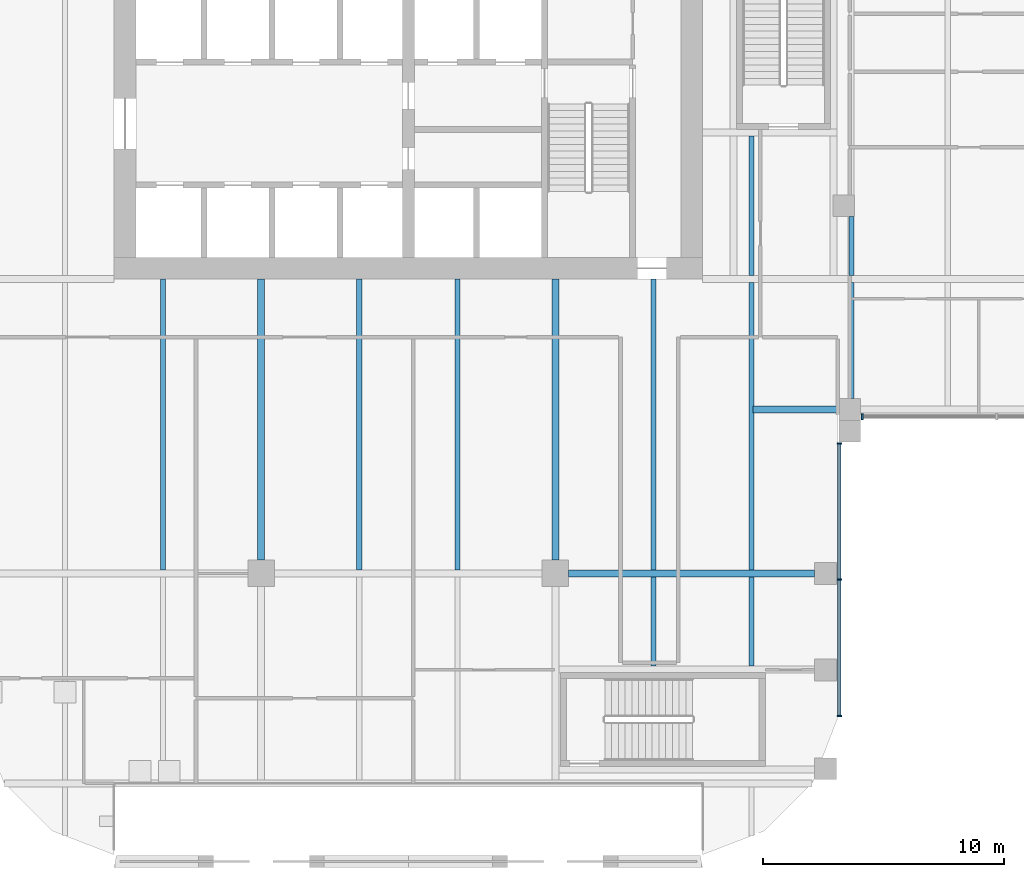
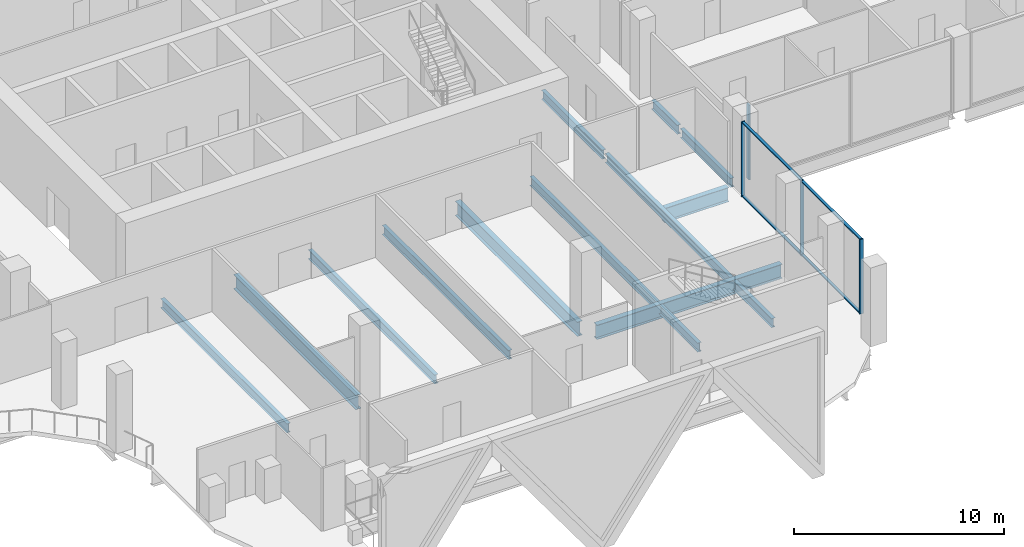
# One storey, part 2 of 33: 14 beams, 8 members, 2 elements without a shape of their own.
"""IFC4 building model written with IfcOpenShell, lengths in metres."""

from ifc_helpers import new_model, si_unit, direction, frame, origin, origin_2d, place, context, subcontext, project, spatial, rectangle, i_section, extrude, material, material_profile, profile_set, type_object, element, aggregate, save


model = new_model("IFC4")

# Units and contexts
model_context = context("Model", 3, precision=1e-05, world=origin(), true_north=direction((0.0, 1.0)))
body_context = subcontext(model_context, "Body", "Model", "MODEL_VIEW")
ifc_project = project(units=[si_unit("LENGTHUNIT", "METRE"), si_unit("AREAUNIT", "SQUARE_METRE"), si_unit("VOLUMEUNIT", "CUBIC_METRE"), si_unit("PLANEANGLEUNIT", "RADIAN"), si_unit("MASSUNIT", "GRAM", prefix="KILO")], contexts=[model_context])

# Site, building, storey
site_placement = place(None, origin())
site = spatial("IfcSite", under=ifc_project, at=site_placement, CompositionType="ELEMENT")
building_placement = place(site_placement, origin())
building = spatial("IfcBuilding", under=site, at=building_placement, Name="Tessera Gate Towers", CompositionType="ELEMENT")
storey_placement = place(building_placement, frame((0.0, 0.0, 12.0)))
storey = spatial("IfcBuildingStorey", under=building, at=storey_placement, Name="L02", CompositionType="ELEMENT", Elevation=12.0)

# Beams
ifc_material_1 = material(Name="Steel 350W", Category="steel")
ifc_material_profile_1 = material_profile(ifc_material_1, i_section(OverallWidth=0.2919921875, OverallDepth=0.8349609375, WebThickness=0.013916015625, FlangeThickness=0.018798828125, at=origin_2d()), Name="W840x176")
ifc_profile_set_1 = profile_set([ifc_material_profile_1], Name="Steel 350W")
beam_type_1 = type_object("IfcBeamType", Name="FLOOR GIRDER W840x176", PredefinedType="BEAM", material=ifc_profile_set_1)
beam_1_placement = place(storey_placement, frame((57.0, 19.0, -0.66748046875), z_axis=(1.0, 0.0, 0.0), x_axis=(0.0, 1.0, 0.0)))
element("IfcBeam", 1, at=beam_1_placement, inside=storey, type_object=beam_type_1, Name="PD-GD-L02-363", PredefinedType="BEAM", context=body_context, shape_type="SweptSolid", body=[
    extrude(i_section(OverallWidth=0.2919921875, OverallDepth=0.8349609375, WebThickness=0.013916015625, FlangeThickness=0.018798828125, at=origin_2d()), origin(), (0.0, 0.0, 1.0), 3.550048828125),
])
beam_2_placement = place(storey_placement, frame((49.35009765625, 12.199951171875, -0.66748046875), z_axis=(1.0, 0.0, 0.0), x_axis=(0.0, 1.0, 0.0)))
element("IfcBeam", 2, at=beam_2_placement, inside=storey, type_object=beam_type_1, Name="PD-GD-L02-379", PredefinedType="BEAM", context=body_context, shape_type="SweptSolid", body=[
    extrude(i_section(OverallWidth=0.2919921875, OverallDepth=0.8349609375, WebThickness=0.013916015625, FlangeThickness=0.018798828125, at=origin_2d()), origin(), (0.0, 0.0, 1.0), 10.199951171875),
])
for number, where, z_axis, x_axis, name in (
    (3, (36.60009765625, 12.75, -0.66748046875), (0.0, 1.0, 0.0), (-1.0, 0.0, 0.0), "PD-GD-L02-424"),
    (4, (48.800048828125, 12.75, -0.66748046875), (0.0, 1.0, 0.0), (-1.0, 0.0, 0.0), "PD-GD-L02-426"),
):
    element("IfcBeam", number, at=place(storey_placement, frame(where, z_axis=z_axis, x_axis=x_axis)), inside=storey, type_object=beam_type_1, Name=name, PredefinedType="BEAM", context=body_context, shape_type="SweptSolid", body=[
        extrude(i_section(OverallWidth=0.2919921875, OverallDepth=0.8349609375, WebThickness=0.013916015625, FlangeThickness=0.018798828125, at=origin_2d()), origin(), (0.0, 0.0, 1.0), 11.64990234375),
    ])
ifc_material_2 = material(Name="Steel 350W", Category="steel")
ifc_material_profile_2 = material_profile(ifc_material_2, i_section(OverallWidth=0.208984375, OverallDepth=0.528076171875, WebThickness=0.009521484375, FlangeThickness=0.01318359375, at=origin_2d()), Name="W530x82")
ifc_profile_set_2 = profile_set([ifc_material_profile_2], Name="Steel 350W")
beam_type_2 = type_object("IfcBeamType", Name="FLOOR SECONDARY W530x82", PredefinedType="BEAM", material=ifc_profile_set_2)
for number, where, z_axis, x_axis, name in (
    (5, (32.533203125, 12.345947265625, -0.513916015625), (0.0, 1.0, 0.0), (-1.0, 0.0, 0.0), "PD-BM-L02-475"),
    (6, (40.666748046875, 12.345947265625, -0.513916015625), (0.0, 1.0, 0.0), (-1.0, 0.0, 0.0), "PD-BM-L02-479"),
    (7, (44.7333984375, 12.345947265625, -0.513916015625), (0.0, 1.0, 0.0), (-1.0, 0.0, 0.0), "PD-BM-L02-482"),
):
    element("IfcBeam", number, at=place(storey_placement, frame(where, z_axis=z_axis, x_axis=x_axis)), inside=storey, type_object=beam_type_2, Name=name, PredefinedType="BEAM", context=body_context, shape_type="SweptSolid", body=[
        extrude(i_section(OverallWidth=0.208984375, OverallDepth=0.528076171875, WebThickness=0.009521484375, FlangeThickness=0.01318359375, at=origin_2d()), origin(), (0.0, 0.0, 1.0), 12.053955078125),
    ])
beam_3_placement = place(storey_placement, frame((52.86669921875, 8.365966796875, -0.513916015625), z_axis=(0.0, 1.0, 0.0), x_axis=(-1.0, 0.0, 0.0)))
element("IfcBeam", 8, at=beam_3_placement, inside=storey, type_object=beam_type_2, Name="PD-BM-L02-485", PredefinedType="BEAM", context=body_context, shape_type="SweptSolid", body=[
    extrude(i_section(OverallWidth=0.208984375, OverallDepth=0.528076171875, WebThickness=0.009521484375, FlangeThickness=0.01318359375, at=origin_2d()), origin(), (0.0, 0.0, 1.0), 3.68798828125),
])
beam_4_placement = place(storey_placement, frame((52.86669921875, 12.345947265625, -0.513916015625), z_axis=(0.0, 1.0, 0.0), x_axis=(-1.0, 0.0, 0.0)))
element("IfcBeam", 9, at=beam_4_placement, inside=storey, type_object=beam_type_2, Name="PD-BM-L02-486", PredefinedType="BEAM", context=body_context, shape_type="SweptSolid", body=[
    extrude(i_section(OverallWidth=0.208984375, OverallDepth=0.528076171875, WebThickness=0.009521484375, FlangeThickness=0.01318359375, at=origin_2d()), origin(), (0.0, 0.0, 1.0), 12.053955078125),
])
beam_5_placement = place(storey_placement, frame((56.933349609375, 8.365966796875, -0.513916015625), z_axis=(0.0, 1.0, 0.0), x_axis=(-1.0, 0.0, 0.0)))
element("IfcBeam", 10, at=beam_5_placement, inside=storey, type_object=beam_type_2, Name="PD-BM-L02-489", PredefinedType="BEAM", context=body_context, shape_type="SweptSolid", body=[
    extrude(i_section(OverallWidth=0.208984375, OverallDepth=0.528076171875, WebThickness=0.009521484375, FlangeThickness=0.01318359375, at=origin_2d()), origin(), (0.0, 0.0, 1.0), 3.68798828125),
])
beam_6_placement = place(storey_placement, frame((56.933349609375, 12.345947265625, -0.513916015625), z_axis=(0.0, 1.0, 0.0), x_axis=(-1.0, 0.0, 0.0)))
element("IfcBeam", 11, at=beam_6_placement, inside=storey, type_object=beam_type_2, Name="PD-BM-L02-490", PredefinedType="BEAM", context=body_context, shape_type="SweptSolid", body=[
    extrude(i_section(OverallWidth=0.208984375, OverallDepth=0.528076171875, WebThickness=0.009521484375, FlangeThickness=0.01318359375, at=origin_2d()), origin(), (0.0, 0.0, 1.0), 11.907958984375),
])
beam_7_placement = place(storey_placement, frame((56.933349609375, 24.5458984375, -0.513916015625), z_axis=(0.0, 1.0, 0.0), x_axis=(-1.0, 0.0, 0.0)))
element("IfcBeam", 12, at=beam_7_placement, inside=storey, type_object=beam_type_2, Name="PD-BM-L02-491", PredefinedType="BEAM", context=body_context, shape_type="SweptSolid", body=[
    extrude(i_section(OverallWidth=0.208984375, OverallDepth=0.528076171875, WebThickness=0.009521484375, FlangeThickness=0.01318359375, at=origin_2d()), origin(), (0.0, 0.0, 1.0), 5.7880859375),
])
beam_8_placement = place(storey_placement, frame((61.070556640625, 19.449951171875, -0.513916015625), z_axis=(0.0, 1.0, 0.0), x_axis=(-1.0, 0.0, 0.0)))
element("IfcBeam", 13, at=beam_8_placement, inside=storey, type_object=beam_type_2, Name="PD-BM-L02-494", PredefinedType="BEAM", context=body_context, shape_type="SweptSolid", body=[
    extrude(i_section(OverallWidth=0.208984375, OverallDepth=0.528076171875, WebThickness=0.009521484375, FlangeThickness=0.01318359375, at=origin_2d()), origin(), (0.0, 0.0, 1.0), 4.803955078125),
])
beam_9_placement = place(storey_placement, frame((61.070556640625, 24.5458984375, -0.513916015625), z_axis=(0.0, 1.0, 0.0), x_axis=(-1.0, 0.0, 0.0)))
element("IfcBeam", 14, at=beam_9_placement, inside=storey, type_object=beam_type_2, Name="PD-BM-L02-495", PredefinedType="BEAM", context=body_context, shape_type="SweptSolid", body=[
    extrude(i_section(OverallWidth=0.208984375, OverallDepth=0.528076171875, WebThickness=0.009521484375, FlangeThickness=0.01318359375, at=origin_2d()), origin(), (0.0, 0.0, 1.0), 2.4541015625),
])

# Curtain wall, members
ifc_material_3 = material(Name="Aluminium frame", Category="aluminium")
curtain_wall_type_1 = type_object("IfcCurtainWallType", Name="CW-S1 podium storefront", PredefinedType="NOTDEFINED", material=ifc_material_3)
curtain_wall_1_placement = place(storey_placement, origin())
curtain_wall_1 = element("IfcCurtainWall", 15, at=curtain_wall_1_placement, inside=storey, type_object=curtain_wall_type_1, Name="Curtain wall podium storefront 0149", PredefinedType="NOTDEFINED")
ifc_material_4 = material(Name="Aluminium frame", Category="aluminium")
ifc_material_profile_3 = material_profile(ifc_material_4, rectangle(XDim=0.06005859375, YDim=0.199951171875, at=origin_2d()), Name="AL 60x200")
ifc_profile_set_3 = profile_set([ifc_material_profile_3], Name="Aluminium frame")
member_type_1 = type_object("IfcMemberType", Name="MU-S1 mullion 60x200", PredefinedType="MULLION", material=ifc_profile_set_3)
member_1_placement = place(storey_placement, frame((60.574951171875, 6.29638671875, 0.0), z_axis=(0.0, 0.0, 1.0), x_axis=(0.0, 1.0, 0.0)))
member_1 = element("IfcMember", 16, at=member_1_placement, type_object=member_type_1, Name="PD-CW1-0149 mullion 1", PredefinedType="MULLION", context=body_context, shape_type="SweptSolid", body=[
    extrude(rectangle(XDim=0.06005859375, YDim=0.199951171875, at=origin_2d()), origin(), (0.0, 0.0, 1.0), 4.35009765625),
])
member_2_placement = place(storey_placement, frame((60.574951171875, 11.943115234375, 0.0), z_axis=(0.0, 0.0, 1.0), x_axis=(0.0, 1.0, 0.0)))
member_2 = element("IfcMember", 17, at=member_2_placement, type_object=member_type_1, Name="PD-CW1-0149 mullion 2", PredefinedType="MULLION", context=body_context, shape_type="SweptSolid", body=[
    extrude(rectangle(XDim=0.06005859375, YDim=0.199951171875, at=origin_2d()), origin(), (0.0, 0.0, 1.0), 4.35009765625),
])
member_3_placement = place(storey_placement, frame((60.574951171875, 17.590087890625, 0.0), z_axis=(0.0, 0.0, 1.0), x_axis=(0.0, 1.0, 0.0)))
member_3 = element("IfcMember", 18, at=member_3_placement, type_object=member_type_1, Name="PD-CW1-0149 mullion 3", PredefinedType="MULLION", context=body_context, shape_type="SweptSolid", body=[
    extrude(rectangle(XDim=0.06005859375, YDim=0.199951171875, at=origin_2d()), origin(), (0.0, 0.0, 1.0), 4.35009765625),
])

# Curtain wall, member
ifc_material_5 = material(Name="Aluminium frame", Category="aluminium")
curtain_wall_type_2 = type_object("IfcCurtainWallType", Name="CW-S2 galleria glazing", PredefinedType="NOTDEFINED", material=ifc_material_5)
curtain_wall_2_placement = place(storey_placement, origin())
curtain_wall_2 = element("IfcCurtainWall", 19, at=curtain_wall_2_placement, inside=storey, type_object=curtain_wall_type_2, Name="Curtain wall galleria glazing 0153", PredefinedType="NOTDEFINED")
ifc_material_6 = material(Name="Aluminium frame", Category="aluminium")
ifc_material_profile_4 = material_profile(ifc_material_6, rectangle(XDim=0.080078125, YDim=0.25, at=origin_2d()), Name="AL 80x250")
ifc_profile_set_4 = profile_set([ifc_material_profile_4], Name="Aluminium frame")
member_type_2 = type_object("IfcMemberType", Name="MU-S2 mullion 80x250", PredefinedType="MULLION", material=ifc_profile_set_4)
member_4_placement = place(storey_placement, frame((61.530029296875, 18.699951171875, 0.0), z_axis=(0.0, 0.0, 1.0), x_axis=(1.0, 0.0, 0.0)))
member_4 = element("IfcMember", 20, at=member_4_placement, type_object=member_type_2, Name="PD-CW2-0153 mullion 1", PredefinedType="MULLION", context=body_context, shape_type="SweptSolid", body=[
    extrude(rectangle(XDim=0.080078125, YDim=0.25, at=origin_2d()), origin(), (0.0, 0.0, 1.0), 4.35009765625),
])
aggregate(curtain_wall_2, [member_4])

# Member
ifc_material_7 = material(Name="Aluminium frame", Category="aluminium")
ifc_material_profile_5 = material_profile(ifc_material_7, rectangle(XDim=0.14990234375, YDim=0.06005859375, at=origin_2d()), Name="AL 60x150")
ifc_profile_set_5 = profile_set([ifc_material_profile_5], Name="Aluminium frame")
member_type_3 = type_object("IfcMemberType", Name="TR-S1 transom 60x150", PredefinedType="USERDEFINED", material=ifc_profile_set_5)
member_5_placement = place(storey_placement, frame((60.574951171875, 6.326416015625, 0.030029296875), z_axis=(0.0, 1.0, 0.0), x_axis=(-1.0, 0.0, 0.0)))
member_5 = element("IfcMember", 21, at=member_5_placement, type_object=member_type_3, Name="PD-CW1-0149 transom 1.1", ObjectType="TRANSOM", PredefinedType="USERDEFINED", context=body_context, shape_type="SweptSolid", body=[
    extrude(rectangle(XDim=0.14990234375, YDim=0.06005859375, at=origin_2d()), origin(), (0.0, 0.0, 1.0), 5.5869140625),
])

member_6_placement = place(storey_placement, frame((60.574951171875, 6.326416015625, 4.320068359375), z_axis=(0.0, 1.0, 0.0), x_axis=(-1.0, 0.0, 0.0)))
member_6 = element("IfcMember", 22, at=member_6_placement, type_object=member_type_3, Name="PD-CW1-0149 transom 1.2", ObjectType="TRANSOM", PredefinedType="USERDEFINED", context=body_context, shape_type="SweptSolid", body=[
    extrude(rectangle(XDim=0.14990234375, YDim=0.06005859375, at=origin_2d()), origin(), (0.0, 0.0, 1.0), 5.5869140625),
])

member_7_placement = place(storey_placement, frame((60.574951171875, 11.97314453125, 0.030029296875), z_axis=(0.0, 1.0, 0.0), x_axis=(-1.0, 0.0, 0.0)))
member_7 = element("IfcMember", 23, at=member_7_placement, type_object=member_type_3, Name="PD-CW1-0149 transom 2.1", ObjectType="TRANSOM", PredefinedType="USERDEFINED", context=body_context, shape_type="SweptSolid", body=[
    extrude(rectangle(XDim=0.14990234375, YDim=0.06005859375, at=origin_2d()), origin(), (0.0, 0.0, 1.0), 5.5869140625),
])

member_8_placement = place(storey_placement, frame((60.574951171875, 11.97314453125, 4.320068359375), z_axis=(0.0, 1.0, 0.0), x_axis=(-1.0, 0.0, 0.0)))
member_8 = element("IfcMember", 24, at=member_8_placement, type_object=member_type_3, Name="PD-CW1-0149 transom 2.2", ObjectType="TRANSOM", PredefinedType="USERDEFINED", context=body_context, shape_type="SweptSolid", body=[
    extrude(rectangle(XDim=0.14990234375, YDim=0.06005859375, at=origin_2d()), origin(), (0.0, 0.0, 1.0), 5.5869140625),
])

aggregate(curtain_wall_1, [member_1, member_2, member_3, member_5, member_6, member_7, member_8])

save(model, "model.ifc")
